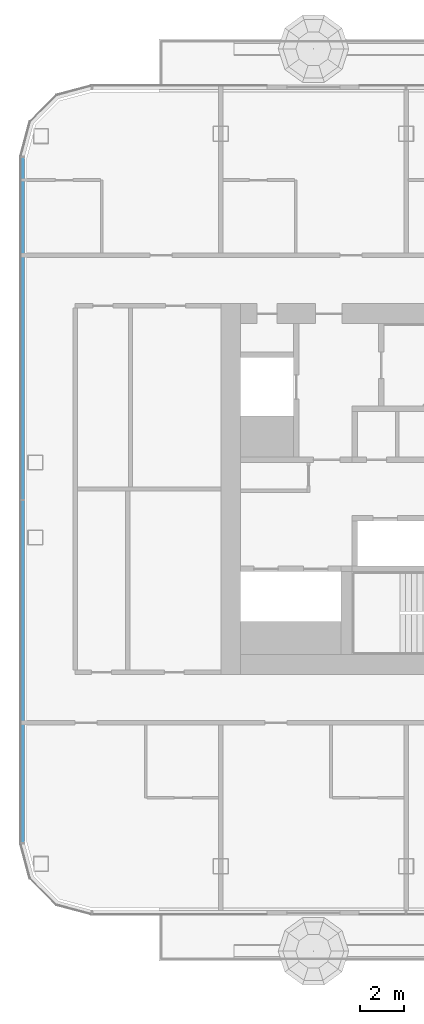
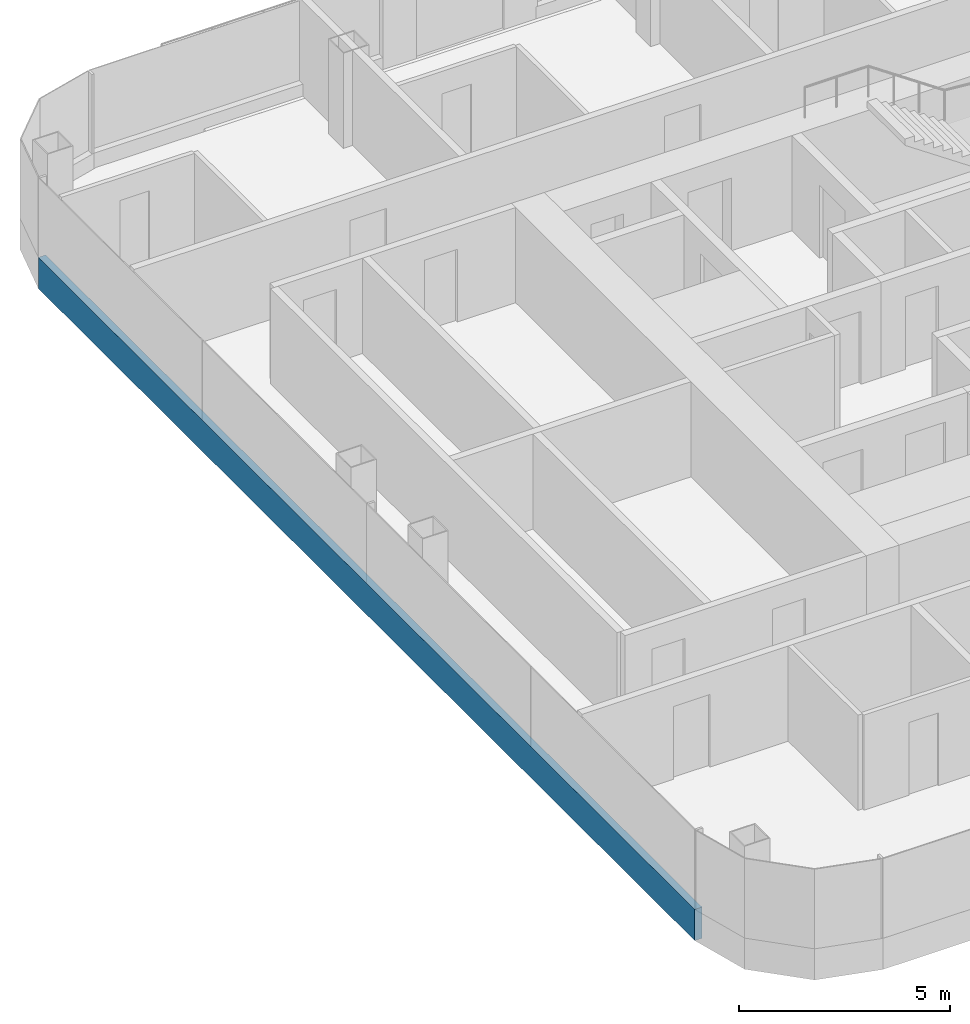
# One storey, part 3 of 29: 1 member, 1 element without a shape of its own.
"""IFC4 building model written with IfcOpenShell, lengths in metres."""

from ifc_helpers import new_model, si_unit, direction, frame, origin, origin_2d, place, context, subcontext, project, spatial, rectangle, extrude, material, layer, layer_set, material_profile, profile_set, type_object, element, aggregate, save


model = new_model("IFC4")

# Units and contexts
model_context = context("Model", 3, precision=1e-05, world=origin(), true_north=direction((0.0, 1.0)))
body_context = subcontext(model_context, "Body", "Model", "MODEL_VIEW")
ifc_project = project(units=[si_unit("LENGTHUNIT", "METRE"), si_unit("AREAUNIT", "SQUARE_METRE"), si_unit("VOLUMEUNIT", "CUBIC_METRE"), si_unit("PLANEANGLEUNIT", "RADIAN"), si_unit("MASSUNIT", "GRAM", prefix="KILO")], contexts=[model_context])

# Site, building, storey
site_placement = place(None, origin())
site = spatial("IfcSite", under=ifc_project, at=site_placement, CompositionType="ELEMENT")
building_placement = place(site_placement, origin())
building = spatial("IfcBuilding", under=site, at=building_placement, Name="Hakoniwa Tower and Hamabe Station Hall", CompositionType="ELEMENT")
storey_placement = place(building_placement, frame((0.0, 0.0, 163.0)))
storey = spatial("IfcBuildingStorey", under=building, at=storey_placement, Name="L46", CompositionType="ELEMENT", Elevation=163.0)

# Curtain wall, member
ifc_material_1 = material(Name="Dark low-e laminated glass", Category="glass")
ifc_layer = layer(ifc_material_1, 0.199951171875)
ifc_layer_set = layer_set([ifc_layer], Name="CW-1 UNITISED GUEST")
curtain_wall_type = type_object("IfcCurtainWallType", Name="CW-1 UNITISED GUEST", PredefinedType="NOTDEFINED", material=ifc_layer_set)
curtain_wall_placement = place(storey_placement, origin())
curtain_wall = element("IfcCurtainWall", 1, at=curtain_wall_placement, inside=storey, type_object=curtain_wall_type, Name="CW-1 curtain wall", PredefinedType="NOTDEFINED")
ifc_material_2 = material(Name="Aluminium 6063-T5 black anodised", Category="aluminium")
ifc_material_profile = material_profile(ifc_material_2, rectangle(XDim=0.199951171875, YDim=0.89990234375, at=origin_2d()), Name="CW SLAB-EDGE BAND 900X200")
ifc_profile_set = profile_set([ifc_material_profile], Name="Aluminium 6063-T5 black anodised")
member_type = type_object("IfcMemberType", Name="CW SLAB-EDGE BAND 900X200", PredefinedType="USERDEFINED", material=ifc_profile_set)
member_placement = place(storey_placement, frame((-42.60009765625, 15.03955078125, -0.10009765625), z_axis=(0.0, -1.0, 0.0), x_axis=(1.0, 0.0, 0.0)))
member = element("IfcMember", 2, at=member_placement, type_object=member_type, Name="CW-1 transom", ObjectType="TRANSOM", PredefinedType="USERDEFINED", context=body_context, shape_type="SweptSolid", body=[
    extrude(rectangle(XDim=0.199951171875, YDim=0.89990234375, at=origin_2d()), origin(), (0.0, 0.0, 1.0), 31.0791015625),
])
aggregate(curtain_wall, [member])

save(model, "model.ifc")
